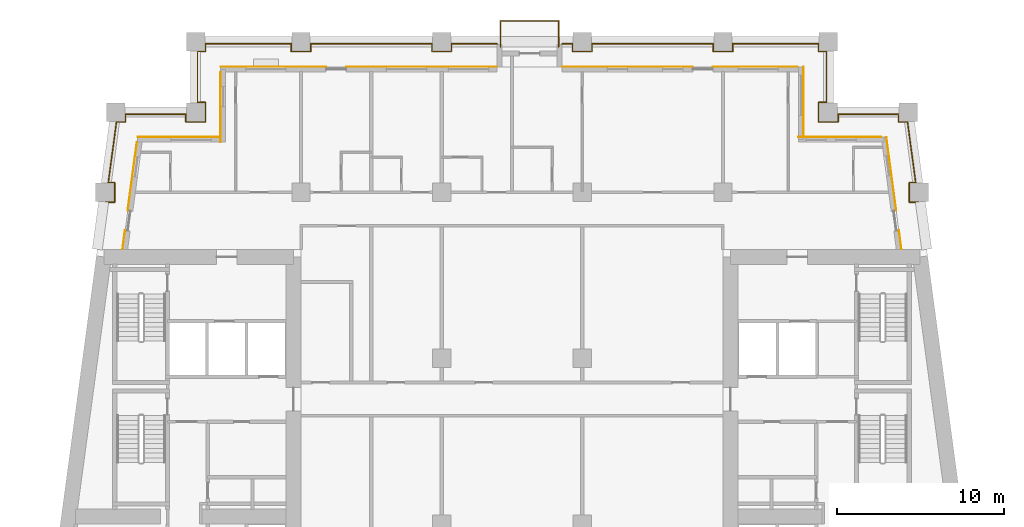
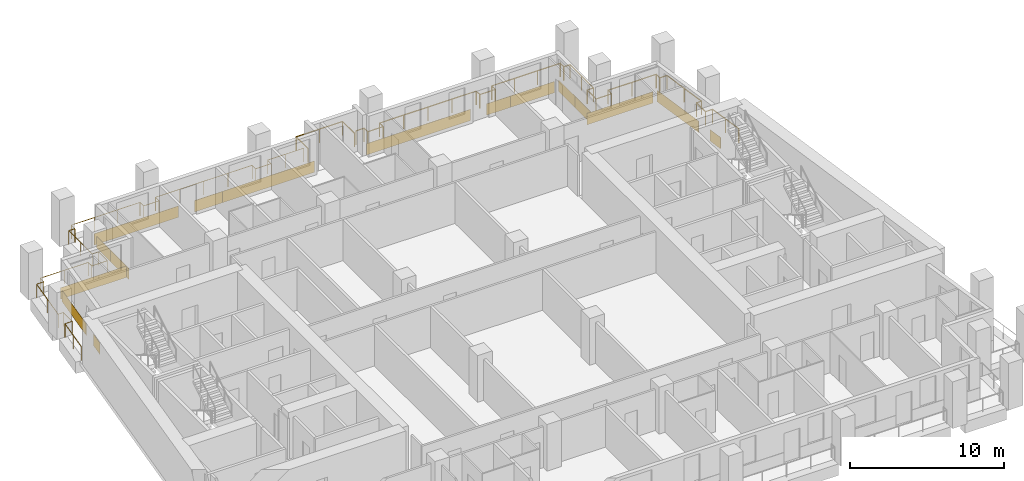
# One storey, part 12 of 13: 16 coverings, 3 railings.
"""IFC4 building model written with IfcOpenShell, lengths in metres."""

from ifc_helpers import new_model, si_unit, direction, frame, origin, origin_2d, place, context, subcontext, project, spatial, rectangle, circle, extrude, material, layer, layer_set, type_object, element, save


model = new_model("IFC4")

# Units and contexts
model_context = context("Model", 3, precision=1e-05, world=origin(), true_north=direction((0.0, 1.0)))
body_context = subcontext(model_context, "Body", "Model", "MODEL_VIEW")
ifc_project = project(units=[si_unit("LENGTHUNIT", "METRE"), si_unit("AREAUNIT", "SQUARE_METRE"), si_unit("VOLUMEUNIT", "CUBIC_METRE"), si_unit("PLANEANGLEUNIT", "RADIAN"), si_unit("MASSUNIT", "GRAM", prefix="KILO")], contexts=[model_context])

# Site, building, storey
site_placement = place(None, origin())
site = spatial("IfcSite", under=ifc_project, at=site_placement, CompositionType="ELEMENT")
building_placement = place(site_placement, origin())
building = spatial("IfcBuilding", under=site, at=building_placement, Name="Candeia Pilgrim Tower and Theatre", CompositionType="ELEMENT")
storey_placement = place(building_placement, frame((0.0, 0.0, 188.5)))
storey = spatial("IfcBuildingStorey", under=building, at=storey_placement, Name="L45", CompositionType="ELEMENT", Elevation=188.5)

# Railings
ifc_material_1 = material(Name="Stainless steel balustrade", Category="steel")
railing_type = type_object("IfcRailingType", Name="G1 loggia guard 1100", PredefinedType="GUARDRAIL", material=ifc_material_1)
railing_1_placement = place(storey_placement, frame((88.758544921875, 132.449951171875, 0.0)))
element("IfcRailing", 1, at=railing_1_placement, inside=storey, type_object=railing_type, Name="Guard L45.2", PredefinedType="GUARDRAIL", context=body_context, shape_type="SweptSolid", body=[
    extrude(circle(Radius=0.02392578125, at=origin_2d()), frame((0.0, 0.0, 1.076171875), z_axis=(0.133382313969, 0.991064659001, 0.0), x_axis=(-0.991064659001, 0.133382313969, 0.0)), (0.0, 0.0, 1.0), 2.794921875),
    extrude(circle(Radius=0.02392578125, at=origin_2d()), frame((0.372802734375, 2.77001953125, 1.076171875), z_axis=(1.0, 0.0, 0.0), x_axis=(0.0, 1.0, 0.0)), (0.0, 0.0, 1.0), 0.537109375),
    extrude(circle(Radius=0.02392578125, at=origin_2d()), frame((0.909912109375, 2.77001953125, 1.076171875), z_axis=(0.0, 1.0, 0.0), x_axis=(-1.0, 0.0, 0.0)), (0.0, 0.0, 1.0), 1.159912109375),
    extrude(circle(Radius=0.02392578125, at=origin_2d()), frame((0.909912109375, 3.929931640625, 1.076171875), z_axis=(-1.0, 0.0, 0.0), x_axis=(0.0, -1.0, 0.0)), (0.0, 0.0, 1.0), 0.380859375),
    extrude(circle(Radius=0.02392578125, at=origin_2d()), frame((0.529052734375, 3.929931640625, 1.076171875), z_axis=(0.133404479078, 0.99106167566, 0.0), x_axis=(-0.99106167566, 0.133404479078, 0.0)), (0.0, 0.0, 1.0), 3.6728515625),
    extrude(circle(Radius=0.02392578125, at=origin_2d()), frame((1.01904296875, 7.570068359375, 1.076171875), z_axis=(1.0, 0.0, 0.0), x_axis=(0.0, 1.0, 0.0)), (0.0, 0.0, 1.0), 0.537109375),
    extrude(circle(Radius=0.02392578125, at=origin_2d()), frame((1.55615234375, 7.570068359375, 1.076171875), z_axis=(0.0, 1.0, 0.0), x_axis=(-1.0, 0.0, 0.0)), (0.0, 0.0, 1.0), 0.4599609375),
    extrude(circle(Radius=0.02392578125, at=origin_2d()), frame((1.55615234375, 8.030029296875, 1.076171875), z_axis=(1.0, 0.0, 0.0), x_axis=(0.0, 1.0, 0.0)), (0.0, 0.0, 1.0), 3.605224609375),
    extrude(circle(Radius=0.02392578125, at=origin_2d()), frame((5.161376953125, 8.030029296875, 1.076171875), z_axis=(0.0, -1.0, 0.0), x_axis=(1.0, 0.0, 0.0)), (0.0, 0.0, 1.0), 0.4599609375),
    extrude(circle(Radius=0.02392578125, at=origin_2d()), frame((5.161376953125, 7.570068359375, 1.076171875), z_axis=(1.0, 0.0, 0.0), x_axis=(0.0, 1.0, 0.0)), (0.0, 0.0, 1.0), 1.16015625),
    extrude(circle(Radius=0.02392578125, at=origin_2d()), frame((6.321533203125, 7.570068359375, 1.076171875), z_axis=(0.0, 1.0, 0.0), x_axis=(-1.0, 0.0, 0.0)), (0.0, 0.0, 1.0), 1.159912109375),
    extrude(circle(Radius=0.02392578125, at=origin_2d()), frame((6.321533203125, 8.72998046875, 1.076171875), z_axis=(-1.0, 0.0, 0.0), x_axis=(0.0, -1.0, 0.0)), (0.0, 0.0, 1.0), 0.4599609375),
    extrude(circle(Radius=0.02392578125, at=origin_2d()), frame((5.861572265625, 8.72998046875, 1.076171875), z_axis=(0.0, 1.0, 0.0), x_axis=(-1.0, 0.0, 0.0)), (0.0, 0.0, 1.0), 3.0400390625),
    extrude(circle(Radius=0.02392578125, at=origin_2d()), frame((5.861572265625, 11.77001953125, 1.076171875), z_axis=(1.0, 0.0, 0.0), x_axis=(0.0, 1.0, 0.0)), (0.0, 0.0, 1.0), 0.4599609375),
    extrude(circle(Radius=0.02392578125, at=origin_2d()), frame((6.321533203125, 11.77001953125, 1.076171875), z_axis=(0.0, 1.0, 0.0), x_axis=(-1.0, 0.0, 0.0)), (0.0, 0.0, 1.0), 0.4599609375),
    extrude(circle(Radius=0.02392578125, at=origin_2d()), frame((6.321533203125, 12.22998046875, 1.076171875), z_axis=(1.0, 0.0, 0.0), x_axis=(0.0, 1.0, 0.0)), (0.0, 0.0, 1.0), 5.139892578125),
    extrude(circle(Radius=0.02392578125, at=origin_2d()), frame((11.46142578125, 12.22998046875, 1.076171875), z_axis=(0.0, -1.0, 0.0), x_axis=(1.0, 0.0, 0.0)), (0.0, 0.0, 1.0), 0.4599609375),
    extrude(circle(Radius=0.02392578125, at=origin_2d()), frame((11.46142578125, 11.77001953125, 1.076171875), z_axis=(1.0, 0.0, 0.0), x_axis=(0.0, 1.0, 0.0)), (0.0, 0.0, 1.0), 1.159912109375),
    extrude(circle(Radius=0.02392578125, at=origin_2d()), frame((12.621337890625, 11.77001953125, 1.076171875), z_axis=(0.0, 1.0, 0.0), x_axis=(-1.0, 0.0, 0.0)), (0.0, 0.0, 1.0), 0.4599609375),
    extrude(circle(Radius=0.02392578125, at=origin_2d()), frame((12.621337890625, 12.22998046875, 1.076171875), z_axis=(1.0, 0.0, 0.0), x_axis=(0.0, 1.0, 0.0)), (0.0, 0.0, 1.0), 7.240234375),
    extrude(circle(Radius=0.02392578125, at=origin_2d()), frame((19.861572265625, 12.22998046875, 1.076171875), z_axis=(0.0, -1.0, 0.0), x_axis=(1.0, 0.0, 0.0)), (0.0, 0.0, 1.0), 0.4599609375),
    extrude(circle(Radius=0.02392578125, at=origin_2d()), frame((19.861572265625, 11.77001953125, 1.076171875), z_axis=(1.0, 0.0, 0.0), x_axis=(0.0, 1.0, 0.0)), (0.0, 0.0, 1.0), 1.159912109375),
    extrude(circle(Radius=0.02392578125, at=origin_2d()), frame((21.021484375, 11.77001953125, 1.076171875), z_axis=(0.0, 1.0, 0.0), x_axis=(-1.0, 0.0, 0.0)), (0.0, 0.0, 1.0), 0.4599609375),
    extrude(circle(Radius=0.02392578125, at=origin_2d()), frame((21.021484375, 12.22998046875, 1.076171875), z_axis=(1.0, 0.0, 0.0), x_axis=(0.0, 1.0, 0.0)), (0.0, 0.0, 1.0), 2.719970703125),
    extrude(circle(Radius=0.02099609375, at=origin_2d()), origin(), (0.0, 0.0, 1.0), 1.052001953125),
    extrude(circle(Radius=0.02099609375, at=origin_2d()), frame((0.1865234375, 1.385009765625, 0.0)), (0.0, 0.0, 1.0), 1.052001953125),
    extrude(circle(Radius=0.02099609375, at=origin_2d()), frame((0.372802734375, 2.77001953125, 0.0)), (0.0, 0.0, 1.0), 1.052001953125),
    extrude(circle(Radius=0.02099609375, at=origin_2d()), frame((0.909912109375, 2.77001953125, 0.0)), (0.0, 0.0, 1.0), 1.052001953125),
    extrude(circle(Radius=0.02099609375, at=origin_2d()), frame((0.909912109375, 3.929931640625, 0.0)), (0.0, 0.0, 1.0), 1.052001953125),
    extrude(circle(Radius=0.02099609375, at=origin_2d()), frame((0.529052734375, 3.929931640625, 0.0)), (0.0, 0.0, 1.0), 1.052001953125),
    extrude(circle(Radius=0.02099609375, at=origin_2d()), frame((0.77392578125, 5.75, 0.0)), (0.0, 0.0, 1.0), 1.052001953125),
    extrude(circle(Radius=0.02099609375, at=origin_2d()), frame((1.01904296875, 7.570068359375, 0.0)), (0.0, 0.0, 1.0), 1.052001953125),
    extrude(circle(Radius=0.02099609375, at=origin_2d()), frame((1.55615234375, 7.570068359375, 0.0)), (0.0, 0.0, 1.0), 1.052001953125),
    extrude(circle(Radius=0.02099609375, at=origin_2d()), frame((1.55615234375, 8.030029296875, 0.0)), (0.0, 0.0, 1.0), 1.052001953125),
    extrude(circle(Radius=0.02099609375, at=origin_2d()), frame((3.35888671875, 8.030029296875, 0.0)), (0.0, 0.0, 1.0), 1.052001953125),
    extrude(circle(Radius=0.02099609375, at=origin_2d()), frame((5.161376953125, 8.030029296875, 0.0)), (0.0, 0.0, 1.0), 1.052001953125),
    extrude(circle(Radius=0.02099609375, at=origin_2d()), frame((5.161376953125, 7.570068359375, 0.0)), (0.0, 0.0, 1.0), 1.052001953125),
    extrude(circle(Radius=0.02099609375, at=origin_2d()), frame((6.321533203125, 7.570068359375, 0.0)), (0.0, 0.0, 1.0), 1.052001953125),
    extrude(circle(Radius=0.02099609375, at=origin_2d()), frame((6.321533203125, 8.72998046875, 0.0)), (0.0, 0.0, 1.0), 1.052001953125),
    extrude(circle(Radius=0.02099609375, at=origin_2d()), frame((5.861572265625, 8.72998046875, 0.0)), (0.0, 0.0, 1.0), 1.052001953125),
    extrude(circle(Radius=0.02099609375, at=origin_2d()), frame((5.861572265625, 10.25, 0.0)), (0.0, 0.0, 1.0), 1.052001953125),
    extrude(circle(Radius=0.02099609375, at=origin_2d()), frame((5.861572265625, 11.77001953125, 0.0)), (0.0, 0.0, 1.0), 1.052001953125),
    extrude(circle(Radius=0.02099609375, at=origin_2d()), frame((6.321533203125, 11.77001953125, 0.0)), (0.0, 0.0, 1.0), 1.052001953125),
    extrude(circle(Radius=0.02099609375, at=origin_2d()), frame((6.321533203125, 12.22998046875, 0.0)), (0.0, 0.0, 1.0), 1.052001953125),
    extrude(circle(Radius=0.02099609375, at=origin_2d()), frame((8.034912109375, 12.22998046875, 0.0)), (0.0, 0.0, 1.0), 1.052001953125),
    extrude(circle(Radius=0.02099609375, at=origin_2d()), frame((9.748046875, 12.22998046875, 0.0)), (0.0, 0.0, 1.0), 1.052001953125),
    extrude(circle(Radius=0.02099609375, at=origin_2d()), frame((11.46142578125, 12.22998046875, 0.0)), (0.0, 0.0, 1.0), 1.052001953125),
    extrude(circle(Radius=0.02099609375, at=origin_2d()), frame((11.46142578125, 11.77001953125, 0.0)), (0.0, 0.0, 1.0), 1.052001953125),
    extrude(circle(Radius=0.02099609375, at=origin_2d()), frame((12.621337890625, 11.77001953125, 0.0)), (0.0, 0.0, 1.0), 1.052001953125),
    extrude(circle(Radius=0.02099609375, at=origin_2d()), frame((12.621337890625, 12.22998046875, 0.0)), (0.0, 0.0, 1.0), 1.052001953125),
    extrude(circle(Radius=0.02099609375, at=origin_2d()), frame((14.431396484375, 12.22998046875, 0.0)), (0.0, 0.0, 1.0), 1.052001953125),
    extrude(circle(Radius=0.02099609375, at=origin_2d()), frame((16.241455078125, 12.22998046875, 0.0)), (0.0, 0.0, 1.0), 1.052001953125),
    extrude(circle(Radius=0.02099609375, at=origin_2d()), frame((18.051513671875, 12.22998046875, 0.0)), (0.0, 0.0, 1.0), 1.052001953125),
    extrude(circle(Radius=0.02099609375, at=origin_2d()), frame((19.861572265625, 12.22998046875, 0.0)), (0.0, 0.0, 1.0), 1.052001953125),
    extrude(circle(Radius=0.02099609375, at=origin_2d()), frame((19.861572265625, 11.77001953125, 0.0)), (0.0, 0.0, 1.0), 1.052001953125),
    extrude(circle(Radius=0.02099609375, at=origin_2d()), frame((21.021484375, 11.77001953125, 0.0)), (0.0, 0.0, 1.0), 1.052001953125),
    extrude(circle(Radius=0.02099609375, at=origin_2d()), frame((21.021484375, 12.22998046875, 0.0)), (0.0, 0.0, 1.0), 1.052001953125),
    extrude(circle(Radius=0.02099609375, at=origin_2d()), frame((22.38134765625, 12.22998046875, 0.0)), (0.0, 0.0, 1.0), 1.052001953125),
    extrude(circle(Radius=0.02099609375, at=origin_2d()), frame((23.741455078125, 12.22998046875, 0.0)), (0.0, 0.0, 1.0), 1.052001953125),
])
railing_2_placement = place(storey_placement, frame((116.39990234375, 144.679931640625, 0.0)))
element("IfcRailing", 2, at=railing_2_placement, inside=storey, type_object=railing_type, Name="Guard L45.3", PredefinedType="GUARDRAIL", context=body_context, shape_type="SweptSolid", body=[
    extrude(circle(Radius=0.02392578125, at=origin_2d()), frame((0.0, 0.0, 1.076171875), z_axis=(1.0, 0.0, 0.0), x_axis=(0.0, 1.0, 0.0)), (0.0, 0.0, 1.0), 0.6201171875),
    extrude(circle(Radius=0.02392578125, at=origin_2d()), frame((0.6201171875, 0.0, 1.076171875), z_axis=(0.0, -1.0, 0.0), x_axis=(1.0, 0.0, 0.0)), (0.0, 0.0, 1.0), 0.4599609375),
    extrude(circle(Radius=0.02392578125, at=origin_2d()), frame((0.6201171875, -0.4599609375, 1.076171875), z_axis=(1.0, 0.0, 0.0), x_axis=(0.0, 1.0, 0.0)), (0.0, 0.0, 1.0), 1.159912109375),
    extrude(circle(Radius=0.02392578125, at=origin_2d()), frame((1.780029296875, -0.4599609375, 1.076171875), z_axis=(0.0, 1.0, 0.0), x_axis=(-1.0, 0.0, 0.0)), (0.0, 0.0, 1.0), 0.4599609375),
    extrude(circle(Radius=0.02392578125, at=origin_2d()), frame((1.780029296875, 0.0, 1.076171875), z_axis=(1.0, 0.0, 0.0), x_axis=(0.0, 1.0, 0.0)), (0.0, 0.0, 1.0), 7.239990234375),
    extrude(circle(Radius=0.02392578125, at=origin_2d()), frame((9.02001953125, 0.0, 1.076171875), z_axis=(0.0, -1.0, 0.0), x_axis=(1.0, 0.0, 0.0)), (0.0, 0.0, 1.0), 0.4599609375),
    extrude(circle(Radius=0.02392578125, at=origin_2d()), frame((9.02001953125, -0.4599609375, 1.076171875), z_axis=(1.0, 0.0, 0.0), x_axis=(0.0, 1.0, 0.0)), (0.0, 0.0, 1.0), 1.16015625),
    extrude(circle(Radius=0.02392578125, at=origin_2d()), frame((10.18017578125, -0.4599609375, 1.076171875), z_axis=(0.0, 1.0, 0.0), x_axis=(-1.0, 0.0, 0.0)), (0.0, 0.0, 1.0), 0.4599609375),
    extrude(circle(Radius=0.02392578125, at=origin_2d()), frame((10.18017578125, 0.0, 1.076171875), z_axis=(1.0, 0.0, 0.0), x_axis=(0.0, 1.0, 0.0)), (0.0, 0.0, 1.0), 5.139892578125),
    extrude(circle(Radius=0.02392578125, at=origin_2d()), frame((15.320068359375, 0.0, 1.076171875), z_axis=(0.0, -1.0, 0.0), x_axis=(1.0, 0.0, 0.0)), (0.0, 0.0, 1.0), 0.4599609375),
    extrude(circle(Radius=0.02392578125, at=origin_2d()), frame((15.320068359375, -0.4599609375, 1.076171875), z_axis=(1.0, 0.0, 0.0), x_axis=(0.0, 1.0, 0.0)), (0.0, 0.0, 1.0), 0.4599609375),
    extrude(circle(Radius=0.02392578125, at=origin_2d()), frame((15.780029296875, -0.4599609375, 1.076171875), z_axis=(0.0, -1.0, 0.0), x_axis=(1.0, 0.0, 0.0)), (0.0, 0.0, 1.0), 3.0400390625),
    extrude(circle(Radius=0.02392578125, at=origin_2d()), frame((15.780029296875, -3.5, 1.076171875), z_axis=(-1.0, 0.0, 0.0), x_axis=(0.0, -1.0, 0.0)), (0.0, 0.0, 1.0), 0.4599609375),
    extrude(circle(Radius=0.02392578125, at=origin_2d()), frame((15.320068359375, -3.5, 1.076171875), z_axis=(0.0, -1.0, 0.0), x_axis=(1.0, 0.0, 0.0)), (0.0, 0.0, 1.0), 1.159912109375),
    extrude(circle(Radius=0.02392578125, at=origin_2d()), frame((15.320068359375, -4.659912109375, 1.076171875), z_axis=(1.0, 0.0, 0.0), x_axis=(0.0, 1.0, 0.0)), (0.0, 0.0, 1.0), 1.159912109375),
    extrude(circle(Radius=0.02392578125, at=origin_2d()), frame((16.47998046875, -4.659912109375, 1.076171875), z_axis=(0.0, 1.0, 0.0), x_axis=(-1.0, 0.0, 0.0)), (0.0, 0.0, 1.0), 0.4599609375),
    extrude(circle(Radius=0.02392578125, at=origin_2d()), frame((16.47998046875, -4.199951171875, 1.076171875), z_axis=(1.0, 0.0, 0.0), x_axis=(0.0, 1.0, 0.0)), (0.0, 0.0, 1.0), 3.60546875),
    extrude(circle(Radius=0.02392578125, at=origin_2d()), frame((20.08544921875, -4.199951171875, 1.076171875), z_axis=(0.0, -1.0, 0.0), x_axis=(1.0, 0.0, 0.0)), (0.0, 0.0, 1.0), 0.4599609375),
    extrude(circle(Radius=0.02392578125, at=origin_2d()), frame((20.08544921875, -4.659912109375, 1.076171875), z_axis=(1.0, 0.0, 0.0), x_axis=(0.0, 1.0, 0.0)), (0.0, 0.0, 1.0), 0.537109375),
    extrude(circle(Radius=0.02392578125, at=origin_2d()), frame((20.62255859375, -4.659912109375, 1.076171875), z_axis=(0.133404479078, -0.99106167566, 0.0), x_axis=(0.99106167566, 0.133404479078, 0.0)), (0.0, 0.0, 1.0), 3.6728515625),
    extrude(circle(Radius=0.02392578125, at=origin_2d()), frame((21.112548828125, -8.300048828125, 1.076171875), z_axis=(-1.0, 0.0, 0.0), x_axis=(0.0, -1.0, 0.0)), (0.0, 0.0, 1.0), 0.380859375),
    extrude(circle(Radius=0.02392578125, at=origin_2d()), frame((20.731689453125, -8.300048828125, 1.076171875), z_axis=(0.0, -1.0, 0.0), x_axis=(1.0, 0.0, 0.0)), (0.0, 0.0, 1.0), 1.159912109375),
    extrude(circle(Radius=0.02392578125, at=origin_2d()), frame((20.731689453125, -9.4599609375, 1.076171875), z_axis=(1.0, 0.0, 0.0), x_axis=(0.0, 1.0, 0.0)), (0.0, 0.0, 1.0), 0.536865234375),
    extrude(circle(Radius=0.02392578125, at=origin_2d()), frame((21.2685546875, -9.4599609375, 1.076171875), z_axis=(0.133468107709, -0.99105310868, 0.0), x_axis=(0.99105310868, 0.133468107709, 0.0)), (0.0, 0.0, 1.0), 2.794921875),
    extrude(circle(Radius=0.02099609375, at=origin_2d()), origin(), (0.0, 0.0, 1.0), 1.052001953125),
    extrude(circle(Radius=0.02099609375, at=origin_2d()), frame((0.6201171875, 0.0, 0.0)), (0.0, 0.0, 1.0), 1.052001953125),
    extrude(circle(Radius=0.02099609375, at=origin_2d()), frame((0.6201171875, -0.4599609375, 0.0)), (0.0, 0.0, 1.0), 1.052001953125),
    extrude(circle(Radius=0.02099609375, at=origin_2d()), frame((1.780029296875, -0.4599609375, 0.0)), (0.0, 0.0, 1.0), 1.052001953125),
    extrude(circle(Radius=0.02099609375, at=origin_2d()), frame((1.780029296875, 0.0, 0.0)), (0.0, 0.0, 1.0), 1.052001953125),
    extrude(circle(Radius=0.02099609375, at=origin_2d()), frame((3.590087890625, 0.0, 0.0)), (0.0, 0.0, 1.0), 1.052001953125),
    extrude(circle(Radius=0.02099609375, at=origin_2d()), frame((5.39990234375, 0.0, 0.0)), (0.0, 0.0, 1.0), 1.052001953125),
    extrude(circle(Radius=0.02099609375, at=origin_2d()), frame((7.2099609375, 0.0, 0.0)), (0.0, 0.0, 1.0), 1.052001953125),
    extrude(circle(Radius=0.02099609375, at=origin_2d()), frame((9.02001953125, 0.0, 0.0)), (0.0, 0.0, 1.0), 1.052001953125),
    extrude(circle(Radius=0.02099609375, at=origin_2d()), frame((9.02001953125, -0.4599609375, 0.0)), (0.0, 0.0, 1.0), 1.052001953125),
    extrude(circle(Radius=0.02099609375, at=origin_2d()), frame((10.18017578125, -0.4599609375, 0.0)), (0.0, 0.0, 1.0), 1.052001953125),
    extrude(circle(Radius=0.02099609375, at=origin_2d()), frame((10.18017578125, 0.0, 0.0)), (0.0, 0.0, 1.0), 1.052001953125),
    extrude(circle(Radius=0.02099609375, at=origin_2d()), frame((11.8935546875, 0.0, 0.0)), (0.0, 0.0, 1.0), 1.052001953125),
    extrude(circle(Radius=0.02099609375, at=origin_2d()), frame((13.606689453125, 0.0, 0.0)), (0.0, 0.0, 1.0), 1.052001953125),
    extrude(circle(Radius=0.02099609375, at=origin_2d()), frame((15.320068359375, 0.0, 0.0)), (0.0, 0.0, 1.0), 1.052001953125),
    extrude(circle(Radius=0.02099609375, at=origin_2d()), frame((15.320068359375, -0.4599609375, 0.0)), (0.0, 0.0, 1.0), 1.052001953125),
    extrude(circle(Radius=0.02099609375, at=origin_2d()), frame((15.780029296875, -0.4599609375, 0.0)), (0.0, 0.0, 1.0), 1.052001953125),
    extrude(circle(Radius=0.02099609375, at=origin_2d()), frame((15.780029296875, -1.97998046875, 0.0)), (0.0, 0.0, 1.0), 1.052001953125),
    extrude(circle(Radius=0.02099609375, at=origin_2d()), frame((15.780029296875, -3.5, 0.0)), (0.0, 0.0, 1.0), 1.052001953125),
    extrude(circle(Radius=0.02099609375, at=origin_2d()), frame((15.320068359375, -3.5, 0.0)), (0.0, 0.0, 1.0), 1.052001953125),
    extrude(circle(Radius=0.02099609375, at=origin_2d()), frame((15.320068359375, -4.659912109375, 0.0)), (0.0, 0.0, 1.0), 1.052001953125),
    extrude(circle(Radius=0.02099609375, at=origin_2d()), frame((16.47998046875, -4.659912109375, 0.0)), (0.0, 0.0, 1.0), 1.052001953125),
    extrude(circle(Radius=0.02099609375, at=origin_2d()), frame((16.47998046875, -4.199951171875, 0.0)), (0.0, 0.0, 1.0), 1.052001953125),
    extrude(circle(Radius=0.02099609375, at=origin_2d()), frame((18.28271484375, -4.199951171875, 0.0)), (0.0, 0.0, 1.0), 1.052001953125),
    extrude(circle(Radius=0.02099609375, at=origin_2d()), frame((20.08544921875, -4.199951171875, 0.0)), (0.0, 0.0, 1.0), 1.052001953125),
    extrude(circle(Radius=0.02099609375, at=origin_2d()), frame((20.08544921875, -4.659912109375, 0.0)), (0.0, 0.0, 1.0), 1.052001953125),
    extrude(circle(Radius=0.02099609375, at=origin_2d()), frame((20.62255859375, -4.659912109375, 0.0)), (0.0, 0.0, 1.0), 1.052001953125),
    extrude(circle(Radius=0.02099609375, at=origin_2d()), frame((20.86767578125, -6.47998046875, 0.0)), (0.0, 0.0, 1.0), 1.052001953125),
    extrude(circle(Radius=0.02099609375, at=origin_2d()), frame((21.112548828125, -8.300048828125, 0.0)), (0.0, 0.0, 1.0), 1.052001953125),
    extrude(circle(Radius=0.02099609375, at=origin_2d()), frame((20.731689453125, -8.300048828125, 0.0)), (0.0, 0.0, 1.0), 1.052001953125),
    extrude(circle(Radius=0.02099609375, at=origin_2d()), frame((20.731689453125, -9.4599609375, 0.0)), (0.0, 0.0, 1.0), 1.052001953125),
    extrude(circle(Radius=0.02099609375, at=origin_2d()), frame((21.2685546875, -9.4599609375, 0.0)), (0.0, 0.0, 1.0), 1.052001953125),
    extrude(circle(Radius=0.02099609375, at=origin_2d()), frame((21.455078125, -10.844970703125, 0.0)), (0.0, 0.0, 1.0), 1.052001953125),
    extrude(circle(Radius=0.02099609375, at=origin_2d()), frame((21.6416015625, -12.22998046875, 0.0)), (0.0, 0.0, 1.0), 1.052001953125),
])
railing_3_placement = place(storey_placement, frame((112.7099609375, 144.5, 0.0)))
element("IfcRailing", 3, at=railing_3_placement, inside=storey, type_object=railing_type, Name="Balcony guard L45", PredefinedType="GUARDRAIL", context=body_context, shape_type="SweptSolid", body=[
    extrude(circle(Radius=0.02392578125, at=origin_2d()), frame((0.0, 0.0, 1.076171875), z_axis=(0.0, 1.0, 0.0), x_axis=(-1.0, 0.0, 0.0)), (0.0, 0.0, 1.0), 1.5400390625),
    extrude(circle(Radius=0.02392578125, at=origin_2d()), frame((0.0, 1.5400390625, 1.076171875), z_axis=(1.0, 0.0, 0.0), x_axis=(0.0, 1.0, 0.0)), (0.0, 0.0, 1.0), 3.47998046875),
    extrude(circle(Radius=0.02392578125, at=origin_2d()), frame((3.47998046875, 1.5400390625, 1.076171875), z_axis=(0.0, -1.0, 0.0), x_axis=(1.0, 0.0, 0.0)), (0.0, 0.0, 1.0), 1.5400390625),
    extrude(circle(Radius=0.02099609375, at=origin_2d()), origin(), (0.0, 0.0, 1.0), 1.052001953125),
    extrude(circle(Radius=0.02099609375, at=origin_2d()), frame((0.0, 1.5400390625, 0.0)), (0.0, 0.0, 1.0), 1.052001953125),
    extrude(circle(Radius=0.02099609375, at=origin_2d()), frame((1.739990234375, 1.5400390625, 0.0)), (0.0, 0.0, 1.0), 1.052001953125),
    extrude(circle(Radius=0.02099609375, at=origin_2d()), frame((3.47998046875, 1.5400390625, 0.0)), (0.0, 0.0, 1.0), 1.052001953125),
    extrude(circle(Radius=0.02099609375, at=origin_2d()), frame((3.47998046875, 0.0, 0.0)), (0.0, 0.0, 1.0), 1.052001953125),
])

# Coverings
ifc_material_2 = material(Name="Glazed ceramic tile red")
ifc_layer_1 = layer(ifc_material_2, 0.02001953125)
ifc_layer_set_1 = layer_set([ifc_layer_1], Name="Glazed ceramic tile red")
covering_type_1 = type_object("IfcCoveringType", Name="Glazed ceramic tile red", PredefinedType="CLADDING", material=ifc_layer_set_1)
covering_1_placement = place(storey_placement, frame((136.588623046875, 132.97412109375, 0.0), z_axis=(0.0, 0.0, 1.0), x_axis=(-0.133412012145, 0.991060661622, 0.0)))
element("IfcCovering", 4, at=covering_1_placement, inside=storey, type_object=covering_type_1, Name="Tile cladding red L45", PredefinedType="CLADDING", context=body_context, shape_type="SweptSolid", body=[
    extrude(rectangle(XDim=1.115234375, YDim=0.02001953125, at=origin_2d()), origin(), (0.0, 0.0, 1.0), 0.89990234375),
])
covering_2_placement = place(storey_placement, frame((136.058837890625, 136.90869140625, 0.0), z_axis=(0.0, 0.0, 1.0), x_axis=(-0.133412012145, 0.991060661622, 0.0)))
element("IfcCovering", 5, at=covering_2_placement, inside=storey, type_object=covering_type_1, Name="Tile cladding red L45", PredefinedType="CLADDING", context=body_context, shape_type="SweptSolid", body=[
    extrude(rectangle(XDim=4.4248046875, YDim=0.02001953125, at=origin_2d()), origin(), (0.0, 0.0, 1.0), 0.89990234375),
])
covering_3_placement = place(storey_placement, frame((130.81005859375, 140.159912109375, 0.0), z_axis=(0.0, 0.0, 1.0), x_axis=(0.0, 1.0, 0.0)))
element("IfcCovering", 6, at=covering_3_placement, inside=storey, type_object=covering_type_1, Name="Tile cladding red L45", PredefinedType="CLADDING", context=body_context, shape_type="SweptSolid", body=[
    extrude(rectangle(XDim=2.080078125, YDim=0.02001953125, at=origin_2d()), origin(), (0.0, 0.0, 1.0), 0.89990234375),
])
covering_4_placement = place(storey_placement, frame((126.300048828125, 143.31005859375, 0.0), z_axis=(0.0, 0.0, 1.0), x_axis=(-1.0, 0.0, 0.0)))
element("IfcCovering", 7, at=covering_4_placement, inside=storey, type_object=covering_type_1, Name="Tile cladding red L45", PredefinedType="CLADDING", context=body_context, shape_type="SweptSolid", body=[
    extrude(rectangle(XDim=1.800048828125, YDim=0.02001953125, at=origin_2d()), origin(), (0.0, 0.0, 1.0), 0.89990234375),
])
covering_5_placement = place(storey_placement, frame((120.300048828125, 143.31005859375, 0.0), z_axis=(0.0, 0.0, 1.0), x_axis=(-1.0, 0.0, 0.0)))
element("IfcCovering", 8, at=covering_5_placement, inside=storey, type_object=covering_type_1, Name="Tile cladding red L45", PredefinedType="CLADDING", context=body_context, shape_type="SweptSolid", body=[
    extrude(rectangle(XDim=7.800048828125, YDim=0.02001953125, at=origin_2d()), origin(), (0.0, 0.0, 1.0), 0.89990234375),
])
covering_6_placement = place(storey_placement, frame((109.050048828125, 143.31005859375, 0.0), z_axis=(0.0, 0.0, 1.0), x_axis=(-1.0, 0.0, 0.0)))
element("IfcCovering", 9, at=covering_6_placement, inside=storey, type_object=covering_type_1, Name="Tile cladding red L45", PredefinedType="CLADDING", context=body_context, shape_type="SweptSolid", body=[
    extrude(rectangle(XDim=6.89990234375, YDim=0.02001953125, at=origin_2d()), origin(), (0.0, 0.0, 1.0), 0.89990234375),
])
covering_7_placement = place(storey_placement, frame((95.989990234375, 140.0, 0.0), z_axis=(0.0, 0.0, 1.0), x_axis=(0.0, -1.0, 0.0)))
element("IfcCovering", 10, at=covering_7_placement, inside=storey, type_object=covering_type_1, Name="Tile cladding red L45", PredefinedType="CLADDING", context=body_context, shape_type="SweptSolid", body=[
    extrude(rectangle(XDim=2.39990234375, YDim=0.02001953125, at=origin_2d()), origin(), (0.0, 0.0, 1.0), 0.89990234375),
])
covering_8_placement = place(storey_placement, frame((90.720947265625, 136.759521484375, 0.0), z_axis=(0.0, 0.0, 1.0), x_axis=(-0.133412012145, -0.991060661622, 0.0)))
element("IfcCovering", 11, at=covering_8_placement, inside=storey, type_object=covering_type_1, Name="Tile cladding red L45", PredefinedType="CLADDING", context=body_context, shape_type="SweptSolid", body=[
    extrude(rectangle(XDim=4.123779296875, YDim=0.02001953125, at=origin_2d()), origin(), (0.0, 0.0, 1.0), 0.89990234375),
])
covering_9_placement = place(storey_placement, frame((90.21142578125, 132.97412109375, 0.0), z_axis=(0.0, 0.0, 1.0), x_axis=(-0.133412012145, -0.991060661622, 0.0)))
element("IfcCovering", 12, at=covering_9_placement, inside=storey, type_object=covering_type_1, Name="Tile cladding red L45", PredefinedType="CLADDING", context=body_context, shape_type="SweptSolid", body=[
    extrude(rectangle(XDim=1.115234375, YDim=0.02001953125, at=origin_2d()), origin(), (0.0, 0.0, 1.0), 0.89990234375),
])
ifc_material_3 = material(Name="Glazed ceramic tile rust")
ifc_layer_2 = layer(ifc_material_3, 0.02001953125)
ifc_layer_set_2 = layer_set([ifc_layer_2], Name="Glazed ceramic tile rust")
covering_type_2 = type_object("IfcCoveringType", Name="Glazed ceramic tile rust", PredefinedType="CLADDING", material=ifc_layer_set_2)
covering_10_placement = place(storey_placement, frame((132.976318359375, 139.110107421875, 0.0), z_axis=(0.0, 0.0, 1.0), x_axis=(-1.0, 0.0, 0.0)))
element("IfcCovering", 13, at=covering_10_placement, inside=storey, type_object=covering_type_2, Name="Tile cladding rust L45", PredefinedType="CLADDING", context=body_context, shape_type="SweptSolid", body=[
    extrude(rectangle(XDim=4.95263671875, YDim=0.02001953125, at=origin_2d()), origin(), (0.0, 0.0, 1.0), 0.89990234375),
])
covering_11_placement = place(storey_placement, frame((130.81005859375, 142.25, 0.0), z_axis=(0.0, 0.0, 1.0), x_axis=(0.0, 1.0, 0.0)))
element("IfcCovering", 14, at=covering_11_placement, inside=storey, type_object=covering_type_2, Name="Tile cladding rust L45", PredefinedType="CLADDING", context=body_context, shape_type="SweptSolid", body=[
    extrude(rectangle(XDim=2.10009765625, YDim=0.02001953125, at=origin_2d()), origin(), (0.0, 0.0, 1.0), 0.89990234375),
])
covering_12_placement = place(storey_placement, frame((128.840087890625, 143.31005859375, 0.0), z_axis=(0.0, 0.0, 1.0), x_axis=(-1.0, 0.0, 0.0)))
element("IfcCovering", 15, at=covering_12_placement, inside=storey, type_object=covering_type_2, Name="Tile cladding rust L45", PredefinedType="CLADDING", context=body_context, shape_type="SweptSolid", body=[
    extrude(rectangle(XDim=3.280029296875, YDim=0.02001953125, at=origin_2d()), origin(), (0.0, 0.0, 1.0), 0.89990234375),
])
covering_13_placement = place(storey_placement, frame((104.550048828125, 143.31005859375, 0.0), z_axis=(0.0, 0.0, 1.0), x_axis=(-1.0, 0.0, 0.0)))
element("IfcCovering", 16, at=covering_13_placement, inside=storey, type_object=covering_type_2, Name="Tile cladding rust L45", PredefinedType="CLADDING", context=body_context, shape_type="SweptSolid", body=[
    extrude(rectangle(XDim=2.10009765625, YDim=0.02001953125, at=origin_2d()), origin(), (0.0, 0.0, 1.0), 0.89990234375),
])
covering_14_placement = place(storey_placement, frame((99.14990234375, 143.31005859375, 0.0), z_axis=(0.0, 0.0, 1.0), x_axis=(-1.0, 0.0, 0.0)))
element("IfcCovering", 17, at=covering_14_placement, inside=storey, type_object=covering_type_2, Name="Tile cladding rust L45", PredefinedType="CLADDING", context=body_context, shape_type="SweptSolid", body=[
    extrude(rectangle(XDim=6.300048828125, YDim=0.02001953125, at=origin_2d()), origin(), (0.0, 0.0, 1.0), 0.89990234375),
])
covering_15_placement = place(storey_placement, frame((95.989990234375, 142.090087890625, 0.0), z_axis=(0.0, 0.0, 1.0), x_axis=(0.0, -1.0, 0.0)))
element("IfcCovering", 18, at=covering_15_placement, inside=storey, type_object=covering_type_2, Name="Tile cladding rust L45", PredefinedType="CLADDING", context=body_context, shape_type="SweptSolid", body=[
    extrude(rectangle(XDim=1.780029296875, YDim=0.02001953125, at=origin_2d()), origin(), (0.0, 0.0, 1.0), 0.89990234375),
])
covering_16_placement = place(storey_placement, frame((93.51318359375, 139.110107421875, 0.0), z_axis=(0.0, 0.0, 1.0), x_axis=(-1.0, 0.0, 0.0)))
element("IfcCovering", 19, at=covering_16_placement, inside=storey, type_object=covering_type_2, Name="Tile cladding rust L45", PredefinedType="CLADDING", context=body_context, shape_type="SweptSolid", body=[
    extrude(rectangle(XDim=4.933837890625, YDim=0.02001953125, at=origin_2d()), origin(), (0.0, 0.0, 1.0), 0.89990234375),
])

save(model, "model.ifc")
